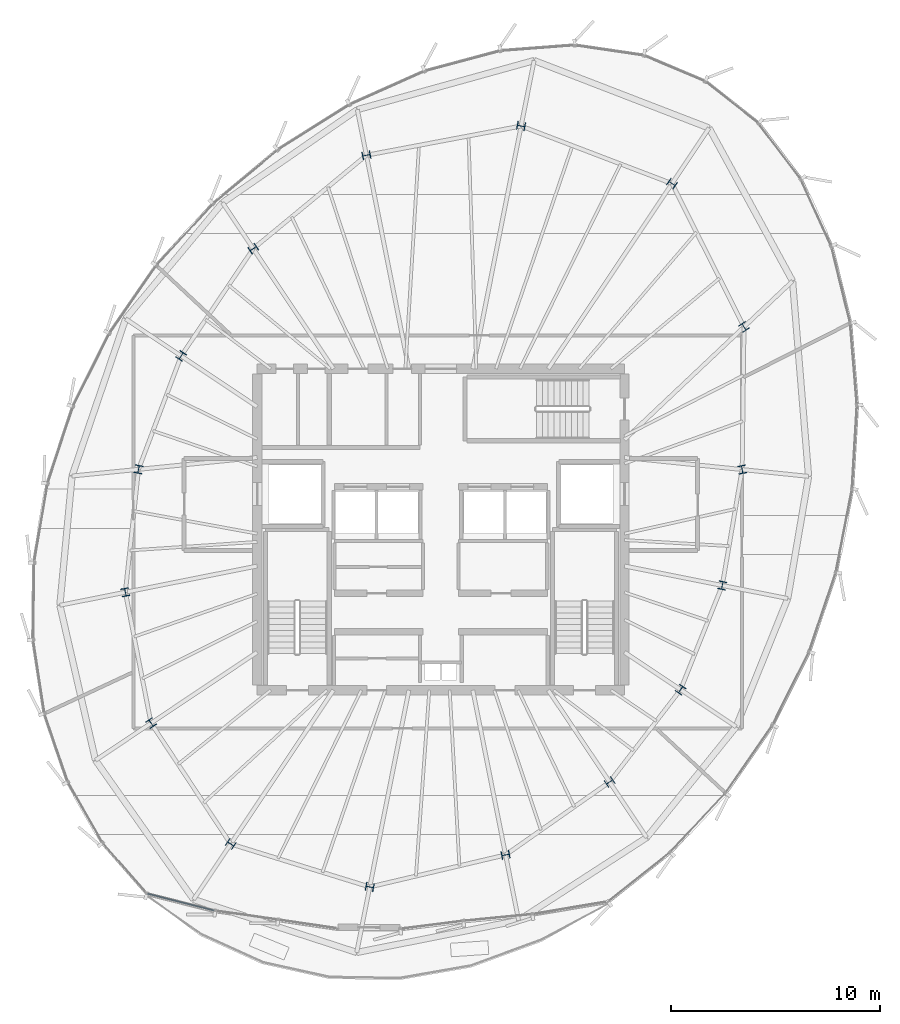
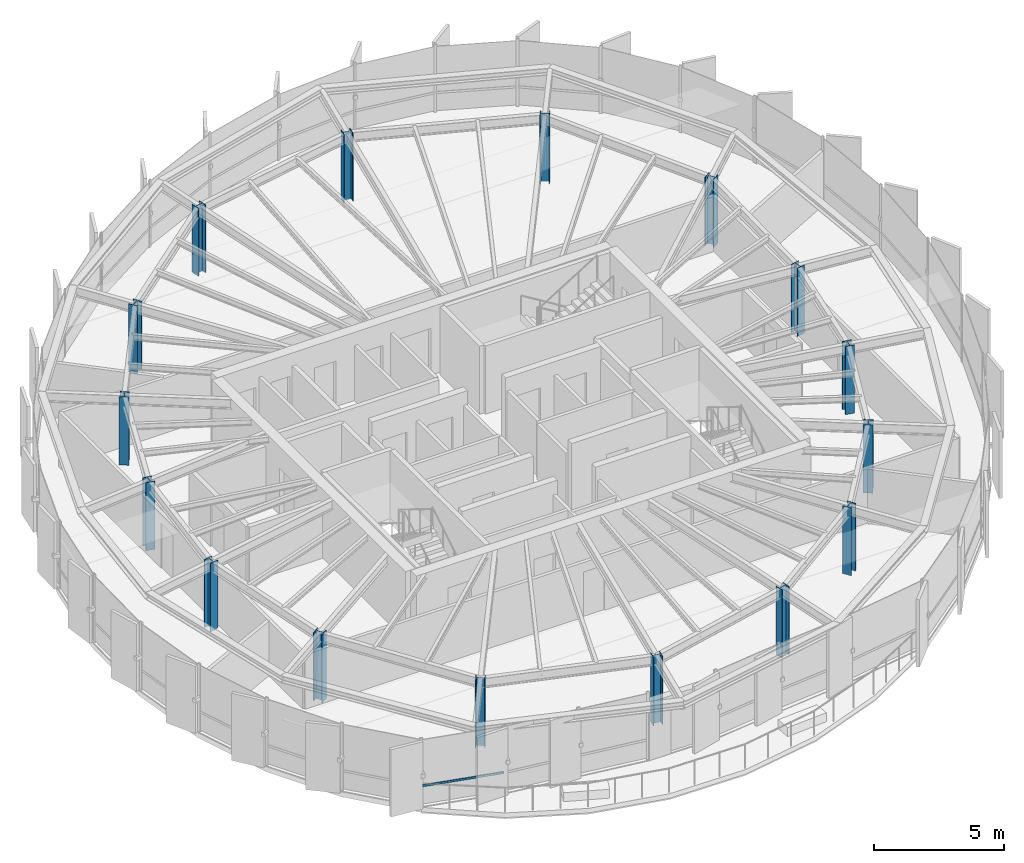
# One storey, part 1 of 32: 16 columns, 1 member, 1 element without a shape of its own.
"""IFC4 building model written with IfcOpenShell, lengths in metres."""

from ifc_helpers import new_model, si_unit, direction, frame, origin, origin_2d, place, context, subcontext, project, spatial, hollow_rectangle, i_section, extrude, source, transform, mapped, material, layer, layer_set, material_profile, profile_set, type_object, element, aggregate, save


model = new_model("IFC4")

# Units and contexts
model_context = context("Model", 3, precision=1e-05, world=origin(), true_north=direction((0.0, 1.0)))
body_context = subcontext(model_context, "Body", "Model", "MODEL_VIEW")
ifc_project = project(units=[si_unit("LENGTHUNIT", "METRE"), si_unit("AREAUNIT", "SQUARE_METRE"), si_unit("VOLUMEUNIT", "CUBIC_METRE"), si_unit("PLANEANGLEUNIT", "RADIAN"), si_unit("MASSUNIT", "GRAM", prefix="KILO"), si_unit("THERMODYNAMICTEMPERATUREUNIT", "KELVIN")], contexts=[model_context])

# Site, building, storey
site_placement = place(None, origin())
site = spatial("IfcSite", under=ifc_project, at=site_placement, CompositionType="ELEMENT")
building_placement = place(site_placement, origin())
building = spatial("IfcBuilding", under=site, at=building_placement, Name="Kethvar Cultural Tower", CompositionType="ELEMENT")
storey_placement = place(building_placement, frame((0.0, 0.0, 273.25)))
storey = spatial("IfcBuildingStorey", under=building, at=storey_placement, Name="L72", CompositionType="ELEMENT", Elevation=273.25)

# Columns
ifc_material_1 = material(Name="Steel S355J2", Category="steel")
ifc_material_profile_1 = material_profile(ifc_material_1, i_section(OverallWidth=0.3740234375, OverallDepth=0.383056640625, WebThickness=0.0166015625, FlangeThickness=0.026123046875, FilletRadius=0.014892578125, at=origin_2d()), Name="Steel S355J2 — HD360x300")
ifc_profile_set_1 = profile_set([ifc_material_profile_1], Name="Steel S355J2 — HD360x300")
column_type = type_object("IfcColumnType", Name="COL-HD300", PredefinedType="COLUMN", material=ifc_profile_set_1)
shared_shape_1 = source(origin(), body_context, "Body", "SweptSolid", [
    extrude(i_section(OverallWidth=0.3740234375, OverallDepth=0.383056640625, WebThickness=0.0166015625, FlangeThickness=0.026123046875, FilletRadius=0.014892578125, at=origin_2d()), origin(), (0.0, 0.0, 1.0), 3.2099609375),
])
for number, where, z_axis, x_axis, name in (
    (1, (61.237060546875, 30.671630859375, 0.0), (0.0, 0.0, 1.0), (0.980785280403, 0.195090322016, 0.0), "L72 Mega-Column MC-01"),
    (2, (61.32568359375, 37.505859375, 0.0), (0.0, 0.0, 1.0), (0.831469612303, 0.55557023302, 0.0), "L72 Mega-Column MC-02"),
    (3, (57.875244140625, 44.375, 0.0), (0.0, 0.0, 1.0), (0.55557023302, 0.831469612303, 0.0), "L72 Mega-Column MC-03"),
    (4, (50.645263671875, 47.131591796875, 0.0), (0.0, 0.0, 1.0), (0.195090322016, 0.980785280403, 0.0), "L72 Mega-Column MC-04"),
    (5, (43.23291015625, 45.732421875, 0.0), (0.0, 0.0, 1.0), (-0.195090322016, 0.980785280403, 0.0), "L72 Mega-Column MC-05"),
    (6, (37.8095703125, 41.255126953125, 0.0), (0.0, 0.0, 1.0), (-0.55557023302, 0.831469612303, 0.0), "L72 Mega-Column MC-06"),
    (7, (34.35595703125, 36.114990234375, 0.0), (0.0, 0.0, 1.0), (-0.831469612303, 0.55557023302, 0.0), "L72 Mega-Column MC-07"),
    (8, (32.3125, 30.681884765625, 0.0), (0.0, 0.0, 1.0), (-0.980785280403, 0.195090322016, 0.0), "L72 Mega-Column MC-08"),
    (9, (31.68310546875, 24.79296875, 0.0), (0.0, 0.0, 1.0), (-0.980785280403, -0.195090322016, 0.0), "L72 Mega-Column MC-09"),
    (10, (32.912841796875, 18.52099609375, 0.0), (0.0, 0.0, 1.0), (-0.831469612303, -0.55557023302, 0.0), "L72 Mega-Column MC-10"),
    (11, (36.731201171875, 12.73095703125, 0.0), (0.0, 0.0, 1.0), (-0.55557023302, -0.831469612303, 0.0), "L72 Mega-Column MC-11"),
    (12, (43.392822265625, 10.67138671875, 0.0), (0.0, 0.0, 1.0), (-0.195090322016, -0.980785280403, 0.0), "L72 Mega-Column MC-12"),
    (13, (49.901611328125, 12.206787109375, 0.0), (0.0, 0.0, 1.0), (0.195090322016, -0.980785280403, 0.0), "L72 Mega-Column MC-13"),
    (14, (54.885009765625, 15.7001953125, 0.0), (0.0, 0.0, 1.0), (0.55557023302, -0.831469612303, 0.0), "L72 Mega-Column MC-14"),
    (15, (58.287109375, 20.12451171875, 0.0), (0.0, 0.0, 1.0), (0.831469612303, -0.55557023302, 0.0), "L72 Mega-Column MC-15"),
    (16, (60.28369140625, 25.117919921875, 0.0), (0.0, 0.0, 1.0), (0.980785280403, -0.195090322016, 0.0), "L72 Mega-Column MC-16"),
):
    element("IfcColumn", number, at=place(storey_placement, frame(where, z_axis=z_axis, x_axis=x_axis)), inside=storey, type_object=column_type, Name=name, PredefinedType="COLUMN", context=body_context, shape_type="MappedRepresentation", body=[
        mapped(shared_shape_1, transform((0.0, 0.0, 0.0), scale=1.0)),
    ])

# Curtain wall, member
ifc_material_2 = material(Name="Aluminium 6063-T6", Category="aluminium")
ifc_layer = layer(ifc_material_2, 0.179931640625, Name="Aluminium 6063-T6", Category="aluminium")
ifc_layer_set = layer_set([ifc_layer], Name="Aluminium 6063-T6 (180 mm)")
curtain_wall_type = type_object("IfcCurtainWallType", Name="CW-SYS-05-Z56", PredefinedType="NOTDEFINED", material=ifc_layer_set)
curtain_wall_placement = place(storey_placement, origin())
curtain_wall = element("IfcCurtainWall", 17, at=curtain_wall_placement, inside=storey, type_object=curtain_wall_type, Name="L72 Curtain Wall Run 03", PredefinedType="NOTDEFINED")
ifc_material_profile_2 = material_profile(ifc_material_2, hollow_rectangle(XDim=0.050048828125, YDim=0.10009765625, WallThickness=0.00390625, at=origin_2d()), Name="Aluminium 6063-T6 — RHS100x50x4")
ifc_profile_set_2 = profile_set([ifc_material_profile_2], Name="Aluminium 6063-T6 — RHS100x50x4")
member_type = type_object("IfcMemberType", Name="CW-SYS-05-Z56-TRN", PredefinedType="USERDEFINED", material=ifc_profile_set_2)
shared_shape_2 = source(origin(), body_context, "Body", "SweptSolid", [
    extrude(hollow_rectangle(XDim=0.050048828125, YDim=0.10009765625, WallThickness=0.00390625, at=origin_2d()), origin(), (0.0, 0.0, 1.0), 3.2783203125),
])
member_placement = place(storey_placement, frame((32.748046875, 10.347412109375, 0.949951171875), z_axis=(0.969521693291, -0.245005482059, 0.0), x_axis=(0.245005482059, 0.969521693291, 0.0)))
member = element("IfcMember", 18, at=member_placement, type_object=member_type, Name="CW-L72-R03 Transom 6", ObjectType="TRANSOM", PredefinedType="USERDEFINED", context=body_context, shape_type="MappedRepresentation", body=[
    mapped(shared_shape_2, transform((0.0, 0.0, 0.0), scale=1.0)),
])
aggregate(curtain_wall, [member])

save(model, "model.ifc")
